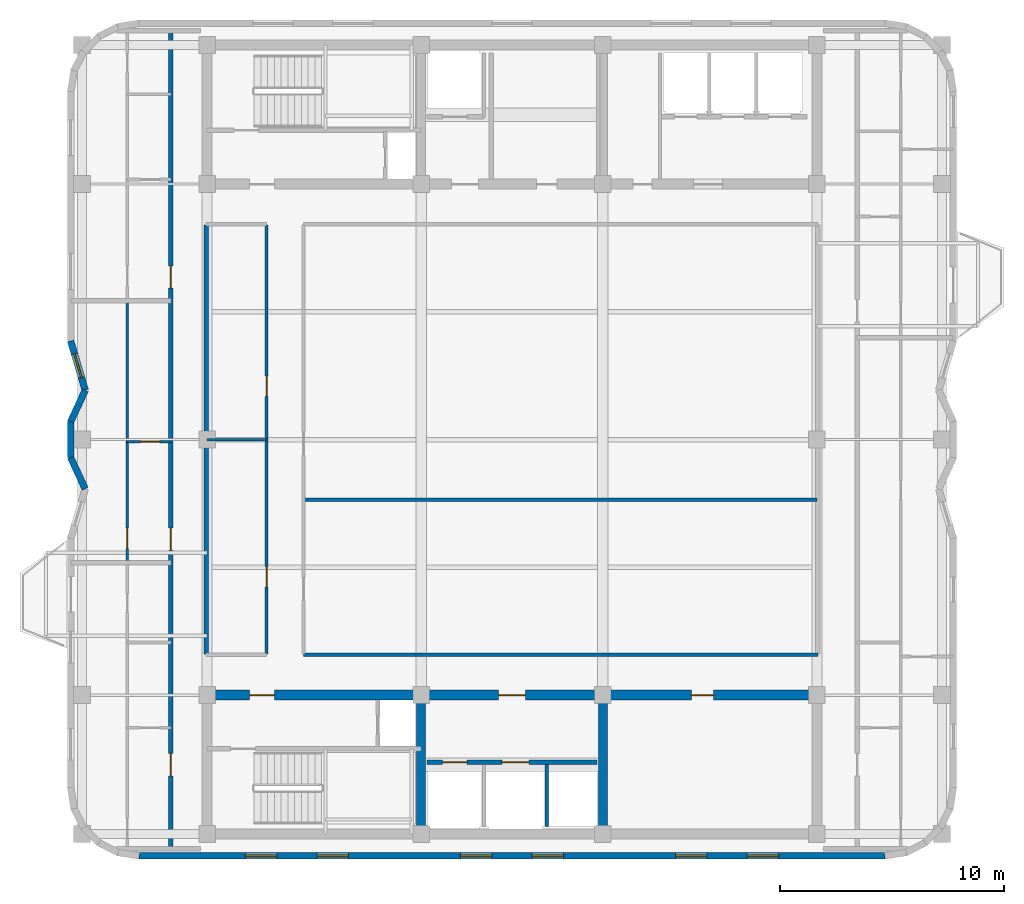
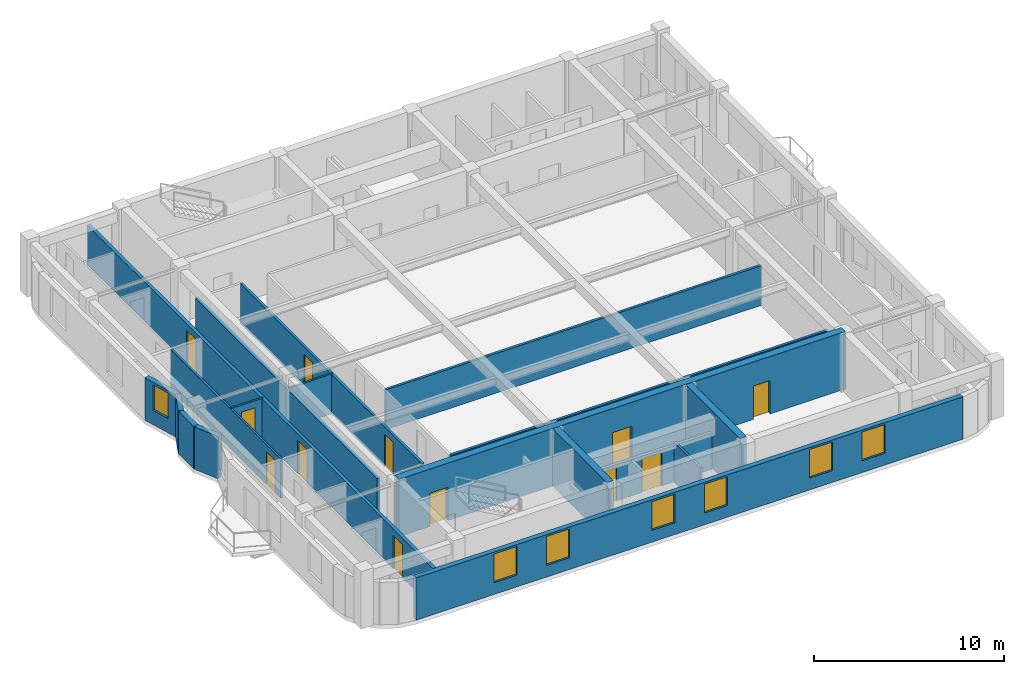
# One storey, part 3 of 8: 18 walls, 12 doors, 7 windows, 19 openings.
"""IFC4 building model written with IfcOpenShell, lengths in metres."""

from ifc_helpers import new_model, si_unit, direction, frame, frame_2d, origin, place, context, subcontext, project, spatial, rectangle, extrude, material, layer, layer_set, type_object, element, fill, save


model = new_model("IFC4")

# Units and contexts
model_context = context("Model", 3, precision=1e-05, world=origin(), true_north=direction((0.0, 1.0)))
body_context = subcontext(model_context, "Body", "Model", "MODEL_VIEW")
ifc_project = project(units=[si_unit("LENGTHUNIT", "METRE"), si_unit("AREAUNIT", "SQUARE_METRE"), si_unit("VOLUMEUNIT", "CUBIC_METRE"), si_unit("PLANEANGLEUNIT", "RADIAN"), si_unit("MASSUNIT", "GRAM", prefix="KILO")], contexts=[model_context])

# Site, building, storey
site_placement = place(None, origin())
site = spatial("IfcSite", under=ifc_project, at=site_placement, CompositionType="ELEMENT")
building_placement = place(site_placement, origin())
building = spatial("IfcBuilding", under=site, at=building_placement, Name="Svetorya Sky Lyceum", CompositionType="ELEMENT")
storey_placement = place(building_placement, frame((0.0, 0.0, 286.10009765625)))
storey = spatial("IfcBuildingStorey", under=building, at=storey_placement, Name="L72", CompositionType="ELEMENT", Elevation=286.10009765625)

# Walls
ifc_material_1 = material(Name="Concrete C40/50", Category="concrete")
ifc_layer_1 = layer(ifc_material_1, 0.39990234375)
ifc_layer_set_1 = layer_set([ifc_layer_1], Name="Concrete C40/50")
wall_type_1 = type_object("IfcWallType", Name="WL-CORE-400", PredefinedType="SHEAR", material=ifc_layer_set_1)
for number, where, z_axis, x_axis, name in (
    (1, (35.14990234375, 10.824951171875, 0.0), (0.0, 0.0, 1.0), (0.0, 1.0, 0.0), "L72 SC Internal Shear Web WEB1"),
    (2, (43.25, 10.824951171875, 0.0), (0.0, 0.0, 1.0), (0.0, 1.0, 0.0), "L72 SC Internal Shear Web WEB2"),
):
    element("IfcWall", number, at=place(storey_placement, frame(where, z_axis=z_axis, x_axis=x_axis)), inside=storey, type_object=wall_type_1, Name=name, PredefinedType="SHEAR", context=body_context, shape_type="SweptSolid", body=[
        extrude(rectangle(XDim=5.75, YDim=0.39990234375, at=frame_2d((2.875, 0.0))), origin(), (0.0, 0.0, 1.0), 3.699951171875),
    ])

# Wall, openings, doors
ifc_material_2 = material(Name="Concrete C50/60", Category="concrete")
ifc_layer_2 = layer(ifc_material_2, 0.449951171875)
ifc_layer_set_2 = layer_set([ifc_layer_2], Name="Concrete C50/60")
wall_type_2 = type_object("IfcWallType", Name="WL-CORE-450", PredefinedType="SHEAR", material=ifc_layer_set_2)
wall_1_placement = place(storey_placement, frame((25.60009765625, 16.800048828125, 0.0), z_axis=(0.0, 0.0, 1.0), x_axis=(1.0, 0.0, 0.0)))
wall_1 = element("IfcWall", 3, at=wall_1_placement, inside=storey, type_object=wall_type_2, Name="L72 SC Inner Core Shear Wall", PredefinedType="SHEAR", context=body_context, shape_type="SweptSolid", body=[
    extrude(rectangle(XDim=27.199951171875, YDim=0.449951171875, at=frame_2d((13.60009765625, 0.0))), origin(), (0.0, 0.0, 1.0), 3.699951171875),
])
opening_1_placement = place(wall_1_placement, frame((1.89990234375, 0.0, 0.0)))
opening_1 = element("IfcOpeningElement", 4, at=opening_1_placement, cuts=wall_1, Name="Opening D-ST1", PredefinedType="OPENING", context=body_context, shape_type="SweptSolid", body=[
    extrude(rectangle(XDim=1.10009765625, YDim=2.14990234375, at=frame_2d((0.550048828125, 1.074951171875))), frame((0.0, 0.23486328125, 0.0), z_axis=(0.0, -1.0, 0.0), x_axis=(1.0, 0.0, 0.0)), (0.0, 0.0, 1.0), 0.469970703125),
])
opening_2_placement = place(wall_1_placement, frame((13.0, 0.0, 0.0)))
opening_2 = element("IfcOpeningElement", 5, at=opening_2_placement, cuts=wall_1, Name="Opening D-FL1", PredefinedType="OPENING", context=body_context, shape_type="SweptSolid", body=[
    extrude(rectangle(XDim=1.199951171875, YDim=2.14990234375, at=frame_2d((0.60009765625, 1.074951171875))), frame((0.0, 0.23486328125, 0.0), z_axis=(0.0, -1.0, 0.0), x_axis=(1.0, 0.0, 0.0)), (0.0, 0.0, 1.0), 0.469970703125),
])
opening_3_placement = place(wall_1_placement, frame((21.60009765625, 0.0, 0.0)))
opening_3 = element("IfcOpeningElement", 6, at=opening_3_placement, cuts=wall_1, Name="Opening D-RM2", PredefinedType="OPENING", context=body_context, shape_type="SweptSolid", body=[
    extrude(rectangle(XDim=1.0, YDim=2.14990234375, at=frame_2d((0.5, 1.074951171875))), frame((0.0, 0.23486328125, 0.0), z_axis=(0.0, -1.0, 0.0), x_axis=(1.0, 0.0, 0.0)), (0.0, 0.0, 1.0), 0.469970703125),
])
ifc_material_3 = material(Name="Powder-coated insulated galvanized stair fire door")
door_type_1 = type_object("IfcDoorType", Name="DR-FIRE-1100", OperationType="SINGLE_SWING_LEFT", PredefinedType="DOOR", material=ifc_material_3)
door_1_placement = place(opening_1_placement, origin())
door_1 = element("IfcDoor", 7, at=door_1_placement, inside=storey, type_object=door_type_1, Name="L72 South Stair Airlock Door", OperationType="SINGLE_SWING_RIGHT", OverallHeight=2.14990234375, OverallWidth=1.10009765625, PredefinedType="DOOR", context=body_context, shape_type="SweptSolid", body=[
    extrude(rectangle(XDim=1.10009765625, YDim=2.14990234375, at=frame_2d((0.550048828125, 1.074951171875))), frame((0.0, 0.02490234375, 0.0), z_axis=(0.0, -1.0, 0.0), x_axis=(1.0, 0.0, 0.0)), (0.0, 0.0, 1.0), 0.050048828125),
])
fill(opening_1, door_1)
ifc_material_4 = material(Name="Powder-coated insulated galvanized fire door")
door_type_2 = type_object("IfcDoorType", Name="DR-FIRE-1200", OperationType="SINGLE_SWING_LEFT", PredefinedType="DOOR", material=ifc_material_4)
door_2_placement = place(opening_2_placement, origin())
door_2 = element("IfcDoor", 8, at=door_2_placement, inside=storey, type_object=door_type_2, Name="L72 South Firefighting Lift Lobby Door", OperationType="SINGLE_SWING_LEFT", OverallHeight=2.14990234375, OverallWidth=1.199951171875, PredefinedType="DOOR", context=body_context, shape_type="SweptSolid", body=[
    extrude(rectangle(XDim=1.199951171875, YDim=2.14990234375, at=frame_2d((0.60009765625, 1.074951171875))), frame((0.0, 0.02490234375, 0.0), z_axis=(0.0, -1.0, 0.0), x_axis=(1.0, 0.0, 0.0)), (0.0, 0.0, 1.0), 0.050048828125),
])
fill(opening_2, door_2)
ifc_material_5 = material(Name="Solid-core oak acoustic room door")
door_type_3 = type_object("IfcDoorType", Name="DR-INT-1000", OperationType="SINGLE_SWING_LEFT", PredefinedType="DOOR", material=ifc_material_5)
door_3_placement = place(opening_3_placement, origin())
door_3 = element("IfcDoor", 9, at=door_3_placement, inside=storey, type_object=door_type_3, Name="L72 Trunk Store Door", OperationType="SINGLE_SWING_LEFT", OverallHeight=2.14990234375, OverallWidth=1.0, PredefinedType="DOOR", context=body_context, shape_type="SweptSolid", body=[
    extrude(rectangle(XDim=1.0, YDim=2.14990234375, at=frame_2d((0.5, 1.074951171875))), frame((0.0, 0.02490234375, 0.0), z_axis=(0.0, -1.0, 0.0), x_axis=(1.0, 0.0, 0.0)), (0.0, 0.0, 1.0), 0.050048828125),
])
fill(opening_3, door_3)

# Wall, openings, windows
ifc_material_6 = material(Name="Putilovo limestone rainscreen on autoclaved cellular masonry", Category="masonry")
ifc_layer_3 = layer(ifc_material_6, 0.300048828125)
ifc_layer_set_3 = layer_set([ifc_layer_3], Name="Putilovo limestone rainscreen on autoclaved cellular masonry")
wall_type_3 = type_object("IfcWallType", Name="WL-EXT-300", PredefinedType="SOLIDWALL", material=ifc_layer_set_3)
wall_2_placement = place(storey_placement, frame((22.56005859375, 9.6298828125, 0.0), z_axis=(0.0, 0.0, 1.0), x_axis=(1.0, 0.0, 0.0)))
wall_2 = element("IfcWall", 10, at=wall_2_placement, inside=storey, type_object=wall_type_3, Name="L72 Limestone Exterior Wall 6M", PredefinedType="SOLIDWALL", context=body_context, shape_type="SweptSolid", body=[
    extrude(rectangle(XDim=33.280029296875, YDim=0.300048828125, at=frame_2d((16.64013671875, 0.0))), origin(), (0.0, 0.0, 1.0), 2.72998046875),
])
opening_4_placement = place(wall_2_placement, frame((4.7470703125, 0.0, 0.760009765625)))
opening_4 = element("IfcOpeningElement", 11, at=opening_4_placement, cuts=wall_2, Name="Opening W-R2", PredefinedType="OPENING", context=body_context, shape_type="SweptSolid", body=[
    extrude(rectangle(XDim=1.39990234375, YDim=1.85009765625, at=frame_2d((0.699951171875, 0.925048828125))), frame((0.0, 0.159912109375, 0.0), z_axis=(0.0, -1.0, 0.0), x_axis=(1.0, 0.0, 0.0)), (0.0, 0.0, 1.0), 0.320068359375),
])
opening_5_placement = place(wall_2_placement, frame((7.945068359375, 0.0, 0.760009765625)))
opening_5 = element("IfcOpeningElement", 12, at=opening_5_placement, cuts=wall_2, Name="Opening W-R2", PredefinedType="OPENING", context=body_context, shape_type="SweptSolid", body=[
    extrude(rectangle(XDim=1.39990234375, YDim=1.85009765625, at=frame_2d((0.699951171875, 0.925048828125))), frame((0.0, 0.159912109375, 0.0), z_axis=(0.0, -1.0, 0.0), x_axis=(1.0, 0.0, 0.0)), (0.0, 0.0, 1.0), 0.320068359375),
])
opening_6_placement = place(wall_2_placement, frame((14.341064453125, 0.0, 0.760009765625)))
opening_6 = element("IfcOpeningElement", 13, at=opening_6_placement, cuts=wall_2, Name="Opening W-R2", PredefinedType="OPENING", context=body_context, shape_type="SweptSolid", body=[
    extrude(rectangle(XDim=1.39990234375, YDim=1.85009765625, at=frame_2d((0.699951171875, 0.925048828125))), frame((0.0, 0.159912109375, 0.0), z_axis=(0.0, -1.0, 0.0), x_axis=(1.0, 0.0, 0.0)), (0.0, 0.0, 1.0), 0.320068359375),
])
opening_7_placement = place(wall_2_placement, frame((17.5390625, 0.0, 0.760009765625)))
opening_7 = element("IfcOpeningElement", 14, at=opening_7_placement, cuts=wall_2, Name="Opening W-R2", PredefinedType="OPENING", context=body_context, shape_type="SweptSolid", body=[
    extrude(rectangle(XDim=1.39990234375, YDim=1.85009765625, at=frame_2d((0.699951171875, 0.925048828125))), frame((0.0, 0.159912109375, 0.0), z_axis=(0.0, -1.0, 0.0), x_axis=(1.0, 0.0, 0.0)), (0.0, 0.0, 1.0), 0.320068359375),
])
opening_8_placement = place(wall_2_placement, frame((23.93505859375, 0.0, 0.760009765625)))
opening_8 = element("IfcOpeningElement", 15, at=opening_8_placement, cuts=wall_2, Name="Opening W-R2", PredefinedType="OPENING", context=body_context, shape_type="SweptSolid", body=[
    extrude(rectangle(XDim=1.39990234375, YDim=1.85009765625, at=frame_2d((0.699951171875, 0.925048828125))), frame((0.0, 0.159912109375, 0.0), z_axis=(0.0, -1.0, 0.0), x_axis=(1.0, 0.0, 0.0)), (0.0, 0.0, 1.0), 0.320068359375),
])
opening_9_placement = place(wall_2_placement, frame((27.133056640625, 0.0, 0.760009765625)))
opening_9 = element("IfcOpeningElement", 16, at=opening_9_placement, cuts=wall_2, Name="Opening W-R2", PredefinedType="OPENING", context=body_context, shape_type="SweptSolid", body=[
    extrude(rectangle(XDim=1.39990234375, YDim=1.85009765625, at=frame_2d((0.699951171875, 0.925048828125))), frame((0.0, 0.159912109375, 0.0), z_axis=(0.0, -1.0, 0.0), x_axis=(1.0, 0.0, 0.0)), (0.0, 0.0, 1.0), 0.320068359375),
])
ifc_material_7 = material(Name="Thermally broken aluminium frame with triple low-E glazing", Category="aluminium")
window_type_1 = type_object("IfcWindowType", Name="WN-RES-140", PartitioningType="SINGLE_PANEL", PredefinedType="WINDOW", material=ifc_material_7)
window_1_placement = place(opening_4_placement, origin())
window_1 = element("IfcWindow", 17, at=window_1_placement, inside=storey, type_object=window_type_1, Name="L72 Facade Window W-R2.6M.1", OverallHeight=1.85009765625, OverallWidth=1.39990234375, PartitioningType="SINGLE_PANEL", PredefinedType="WINDOW", context=body_context, shape_type="SweptSolid", body=[
    extrude(rectangle(XDim=1.39990234375, YDim=1.85009765625, at=frame_2d((0.699951171875, 0.925048828125))), frame((0.0, 0.030029296875, 0.0), z_axis=(0.0, -1.0, 0.0), x_axis=(1.0, 0.0, 0.0)), (0.0, 0.0, 1.0), 0.06005859375),
])
fill(opening_4, window_1)
window_2_placement = place(opening_5_placement, origin())
window_2 = element("IfcWindow", 18, at=window_2_placement, inside=storey, type_object=window_type_1, Name="L72 Facade Window W-R2.6M.2", OverallHeight=1.85009765625, OverallWidth=1.39990234375, PartitioningType="SINGLE_PANEL", PredefinedType="WINDOW", context=body_context, shape_type="SweptSolid", body=[
    extrude(rectangle(XDim=1.39990234375, YDim=1.85009765625, at=frame_2d((0.699951171875, 0.925048828125))), frame((0.0, 0.030029296875, 0.0), z_axis=(0.0, -1.0, 0.0), x_axis=(1.0, 0.0, 0.0)), (0.0, 0.0, 1.0), 0.06005859375),
])
fill(opening_5, window_2)
window_3_placement = place(opening_6_placement, origin())
window_3 = element("IfcWindow", 19, at=window_3_placement, inside=storey, type_object=window_type_1, Name="L72 Facade Window W-R2.6M.3", OverallHeight=1.85009765625, OverallWidth=1.39990234375, PartitioningType="SINGLE_PANEL", PredefinedType="WINDOW", context=body_context, shape_type="SweptSolid", body=[
    extrude(rectangle(XDim=1.39990234375, YDim=1.85009765625, at=frame_2d((0.699951171875, 0.925048828125))), frame((0.0, 0.030029296875, 0.0), z_axis=(0.0, -1.0, 0.0), x_axis=(1.0, 0.0, 0.0)), (0.0, 0.0, 1.0), 0.06005859375),
])
fill(opening_6, window_3)
window_4_placement = place(opening_7_placement, origin())
window_4 = element("IfcWindow", 20, at=window_4_placement, inside=storey, type_object=window_type_1, Name="L72 Facade Window W-R2.6M.4", OverallHeight=1.85009765625, OverallWidth=1.39990234375, PartitioningType="SINGLE_PANEL", PredefinedType="WINDOW", context=body_context, shape_type="SweptSolid", body=[
    extrude(rectangle(XDim=1.39990234375, YDim=1.85009765625, at=frame_2d((0.699951171875, 0.925048828125))), frame((0.0, 0.030029296875, 0.0), z_axis=(0.0, -1.0, 0.0), x_axis=(1.0, 0.0, 0.0)), (0.0, 0.0, 1.0), 0.06005859375),
])
fill(opening_7, window_4)
window_5_placement = place(opening_8_placement, origin())
window_5 = element("IfcWindow", 21, at=window_5_placement, inside=storey, type_object=window_type_1, Name="L72 Facade Window W-R2.6M.5", OverallHeight=1.85009765625, OverallWidth=1.39990234375, PartitioningType="SINGLE_PANEL", PredefinedType="WINDOW", context=body_context, shape_type="SweptSolid", body=[
    extrude(rectangle(XDim=1.39990234375, YDim=1.85009765625, at=frame_2d((0.699951171875, 0.925048828125))), frame((0.0, 0.030029296875, 0.0), z_axis=(0.0, -1.0, 0.0), x_axis=(1.0, 0.0, 0.0)), (0.0, 0.0, 1.0), 0.06005859375),
])
fill(opening_8, window_5)
window_6_placement = place(opening_9_placement, origin())
window_6 = element("IfcWindow", 22, at=window_6_placement, inside=storey, type_object=window_type_1, Name="L72 Facade Window W-R2.6M.6", OverallHeight=1.85009765625, OverallWidth=1.39990234375, PartitioningType="SINGLE_PANEL", PredefinedType="WINDOW", context=body_context, shape_type="SweptSolid", body=[
    extrude(rectangle(XDim=1.39990234375, YDim=1.85009765625, at=frame_2d((0.699951171875, 0.925048828125))), frame((0.0, 0.030029296875, 0.0), z_axis=(0.0, -1.0, 0.0), x_axis=(1.0, 0.0, 0.0)), (0.0, 0.0, 1.0), 0.06005859375),
])
fill(opening_9, window_6)

# Wall, opening, window
wall_3_placement = place(storey_placement, frame((19.510009765625, 32.60009765625, 0.0), z_axis=(0.0, 0.0, 1.0), x_axis=(0.28328385701, -0.959036107953, 0.0)))
wall_3 = element("IfcWall", 23, at=wall_3_placement, inside=storey, type_object=wall_type_3, Name="L72 Limestone Exterior Wall 31M", PredefinedType="SOLIDWALL", context=body_context, shape_type="SweptSolid", body=[
    extrude(rectangle(XDim=2.294189453125, YDim=0.300048828125, at=frame_2d((1.14697265625, 0.0))), origin(), (0.0, 0.0, 1.0), 2.72998046875),
])
opening_10_placement = place(wall_3_placement, frame((0.596923828125, 0.0, 0.919921875)))
opening_10 = element("IfcOpeningElement", 24, at=opening_10_placement, cuts=wall_3, Name="Opening W-R3", PredefinedType="OPENING", context=body_context, shape_type="SweptSolid", body=[
    extrude(rectangle(XDim=1.10009765625, YDim=1.64990234375, at=frame_2d((0.550048828125, 0.824951171875))), frame((0.0, 0.159912109375, 0.0), z_axis=(0.0, -1.0, 0.0), x_axis=(1.0, 0.0, 0.0)), (0.0, 0.0, 1.0), 0.320068359375),
])
window_type_2 = type_object("IfcWindowType", Name="WN-RES-110", PartitioningType="SINGLE_PANEL", PredefinedType="WINDOW", material=ifc_material_7)
window_7_placement = place(opening_10_placement, origin())
window_7 = element("IfcWindow", 25, at=window_7_placement, inside=storey, type_object=window_type_2, Name="L72 Facade Window W-R3.31M.1", OverallHeight=1.64990234375, OverallWidth=1.10009765625, PartitioningType="SINGLE_PANEL", PredefinedType="WINDOW", context=body_context, shape_type="SweptSolid", body=[
    extrude(rectangle(XDim=1.10009765625, YDim=1.64990234375, at=frame_2d((0.550048828125, 0.824951171875))), frame((0.0, 0.030029296875, 0.0), z_axis=(0.0, -1.0, 0.0), x_axis=(1.0, 0.0, 0.0)), (0.0, 0.0, 1.0), 0.06005859375),
])
fill(opening_10, window_7)

# Walls
wall_4_placement = place(storey_placement, frame((20.159912109375, 30.39990234375, 0.0), z_axis=(0.0, 0.0, 1.0), x_axis=(-0.421083420882, -0.907021914101, 0.0)))
element("IfcWall", 26, at=wall_4_placement, inside=storey, type_object=wall_type_3, Name="L72 Limestone Exterior Wall 32M", PredefinedType="SOLIDWALL", context=body_context, shape_type="SweptSolid", body=[
    extrude(rectangle(XDim=1.54345703125, YDim=0.300048828125, at=frame_2d((0.771728515625, 0.0))), origin(), (0.0, 0.0, 1.0), 2.72998046875),
])
wall_5_placement = place(storey_placement, frame((19.510009765625, 29.0, 0.0), z_axis=(0.0, 0.0, 1.0), x_axis=(0.0, -1.0, 0.0)))
element("IfcWall", 27, at=wall_5_placement, inside=storey, type_object=wall_type_3, Name="L72 Limestone Exterior Wall 33M", PredefinedType="SOLIDWALL", context=body_context, shape_type="SweptSolid", body=[
    extrude(rectangle(XDim=1.60009765625, YDim=0.300048828125, at=frame_2d((0.800048828125, 0.0))), origin(), (0.0, 0.0, 1.0), 2.72998046875),
])
wall_6_placement = place(storey_placement, frame((19.510009765625, 27.39990234375, 0.0), z_axis=(0.0, 0.0, 1.0), x_axis=(0.421083420882, -0.907021914101, 0.0)))
element("IfcWall", 28, at=wall_6_placement, inside=storey, type_object=wall_type_3, Name="L72 Limestone Exterior Wall 34M", PredefinedType="SOLIDWALL", context=body_context, shape_type="SweptSolid", body=[
    extrude(rectangle(XDim=1.54345703125, YDim=0.300048828125, at=frame_2d((0.771728515625, 0.0))), origin(), (0.0, 0.0, 1.0), 2.72998046875),
])
ifc_material_8 = material(Name="Twin-stud galvanized framing with double fireboard", Category="gypsum")
ifc_layer_4 = layer(ifc_material_8, 0.1201171875)
ifc_layer_set_4 = layer_set([ifc_layer_4], Name="Twin-stud galvanized framing with double fireboard")
wall_type_4 = type_object("IfcWallType", Name="WL-PART-120", PredefinedType="PARTITIONING", material=ifc_layer_set_4)
wall_7_placement = place(storey_placement, frame((25.60009765625, 28.199951171875, 0.0), z_axis=(0.0, 0.0, 1.0), x_axis=(1.0, 0.0, 0.0)))
element("IfcWall", 29, at=wall_7_placement, inside=storey, type_object=wall_type_4, Name="L72 Interior Partition OFF-HW", PredefinedType="PARTITIONING", context=body_context, shape_type="SweptSolid", body=[
    extrude(rectangle(XDim=2.659912109375, YDim=0.1201171875, at=frame_2d((1.330078125, 0.0))), origin(), (0.0, 0.0, 1.0), 2.559814453125),
])

# Wall, opening, door
wall_8_placement = place(storey_placement, frame((22.030029296875, 28.10009765625, 0.0), z_axis=(0.0, 0.0, 1.0), x_axis=(1.0, 0.0, 0.0)))
wall_8 = element("IfcWall", 30, at=wall_8_placement, inside=storey, type_object=wall_type_4, Name="L72 Interior Partition W2-WH1", PredefinedType="PARTITIONING", context=body_context, shape_type="SweptSolid", body=[
    extrude(rectangle(XDim=1.949951171875, YDim=0.1201171875, at=frame_2d((0.97509765625, 0.0))), origin(), (0.0, 0.0, 1.0), 2.559814453125),
])
opening_11_placement = place(wall_8_placement, frame((0.60009765625, 0.0, 0.0)))
opening_11 = element("IfcOpeningElement", 31, at=opening_11_placement, cuts=wall_8, Name="Opening D-BT1", PredefinedType="OPENING", context=body_context, shape_type="SweptSolid", body=[
    extrude(rectangle(XDim=0.85009765625, YDim=2.10009765625, at=frame_2d((0.425048828125, 1.050048828125))), frame((0.0, 0.070068359375, 0.0), z_axis=(0.0, -1.0, 0.0), x_axis=(1.0, 0.0, 0.0)), (0.0, 0.0, 1.0), 0.14013671875),
])
ifc_material_9 = material(Name="Moisture-resistant laminate bathroom door")
door_type_4 = type_object("IfcDoorType", Name="DR-WET-850", OperationType="SINGLE_SWING_LEFT", PredefinedType="DOOR", material=ifc_material_9)
door_4_placement = place(opening_11_placement, origin())
door_4 = element("IfcDoor", 32, at=door_4_placement, inside=storey, type_object=door_type_4, Name="Apartment W2 Bathroom Door", OperationType="SINGLE_SWING_RIGHT", OverallHeight=2.10009765625, OverallWidth=0.85009765625, PredefinedType="DOOR", context=body_context, shape_type="SweptSolid", body=[
    extrude(rectangle(XDim=0.85009765625, YDim=2.10009765625, at=frame_2d((0.425048828125, 1.050048828125))), frame((0.0, 0.02490234375, 0.0), z_axis=(0.0, -1.0, 0.0), x_axis=(1.0, 0.0, 0.0)), (0.0, 0.0, 1.0), 0.050048828125),
])
fill(opening_11, door_4)

wall_9_placement = place(storey_placement, frame((22.030029296875, 22.739990234375, 0.0), z_axis=(0.0, 0.0, 1.0), x_axis=(0.0, 1.0, 0.0)))
wall_9 = element("IfcWall", 33, at=wall_9_placement, inside=storey, type_object=wall_type_4, Name="L72 Interior Partition W2-WV", PredefinedType="PARTITIONING", context=body_context, shape_type="SweptSolid", body=[
    extrude(rectangle(XDim=11.625, YDim=0.1201171875, at=frame_2d((5.8125, 0.0))), origin(), (0.0, 0.0, 1.0), 2.559814453125),
])
opening_12_placement = place(wall_9_placement, frame((0.610107421875, 0.0, 0.0)))
opening_12 = element("IfcOpeningElement", 34, at=opening_12_placement, cuts=wall_9, Name="Opening D-RM1", PredefinedType="OPENING", context=body_context, shape_type="SweptSolid", body=[
    extrude(rectangle(XDim=0.89990234375, YDim=2.10009765625, at=frame_2d((0.449951171875, 1.050048828125))), frame((0.0, 0.070068359375, 0.0), z_axis=(0.0, -1.0, 0.0), x_axis=(1.0, 0.0, 0.0)), (0.0, 0.0, 1.0), 0.14013671875),
])
ifc_material_10 = material(Name="Lacquered birch veneer internal door")
door_type_5 = type_object("IfcDoorType", Name="DR-INT-900", OperationType="SINGLE_SWING_LEFT", PredefinedType="DOOR", material=ifc_material_10)
door_5_placement = place(opening_12_placement, origin())
door_5 = element("IfcDoor", 35, at=door_5_placement, inside=storey, type_object=door_type_5, Name="Apartment W2 Living Door", OperationType="SINGLE_SWING_LEFT", OverallHeight=2.10009765625, OverallWidth=0.89990234375, PredefinedType="DOOR", context=body_context, shape_type="SweptSolid", body=[
    extrude(rectangle(XDim=0.89990234375, YDim=2.10009765625, at=frame_2d((0.449951171875, 1.050048828125))), frame((0.0, 0.02490234375, 0.0), z_axis=(0.0, -1.0, 0.0), x_axis=(1.0, 0.0, 0.0)), (0.0, 0.0, 1.0), 0.050048828125),
])
fill(opening_12, door_5)

# Walls
ifc_material_11 = material(Name="Autoclaved cellular masonry blockwork with acoustic render", Category="masonry")
ifc_layer_5 = layer(ifc_material_11, 0.14990234375)
ifc_layer_set_5 = layer_set([ifc_layer_5], Name="Autoclaved cellular masonry blockwork with acoustic render")
wall_type_5 = type_object("IfcWallType", Name="WL-PART-150", PredefinedType="PARTITIONING", material=ifc_layer_set_5)
wall_10_placement = place(storey_placement, frame((40.75, 10.949951171875, 0.0), z_axis=(0.0, 0.0, 1.0), x_axis=(0.0, 1.0, 0.0)))
element("IfcWall", 36, at=wall_10_placement, inside=storey, type_object=wall_type_5, Name="L72 Interior Partition SC-SHD2", PredefinedType="PARTITIONING", context=body_context, shape_type="SweptSolid", body=[
    extrude(rectangle(XDim=2.75, YDim=0.14990234375, at=frame_2d((1.375, 0.0))), origin(), (0.0, 0.0, 1.0), 2.559814453125),
])
wall_11_placement = place(storey_placement, frame((29.89990234375, 18.60009765625, 0.0), z_axis=(0.0, 0.0, 1.0), x_axis=(1.0, 0.0, 0.0)))
element("IfcWall", 37, at=wall_11_placement, inside=storey, type_object=wall_type_5, Name="L72 Interior Partition OFF-CS-E", PredefinedType="PARTITIONING", context=body_context, shape_type="SweptSolid", body=[
    extrude(rectangle(XDim=22.9501953125, YDim=0.14990234375, at=frame_2d((11.47509765625, 0.0))), origin(), (0.0, 0.0, 1.0), 2.559814453125),
])
wall_12_placement = place(storey_placement, frame((29.929931640625, 25.5205078125, 0.0), z_axis=(0.0, 0.0, 1.0), x_axis=(1.0, 0.0, 0.0)))
element("IfcWall", 38, at=wall_12_placement, inside=storey, type_object=wall_type_5, Name="L72 Interior Partition OFF-HE", PredefinedType="PARTITIONING", context=body_context, shape_type="SweptSolid", body=[
    extrude(rectangle(XDim=22.8701171875, YDim=0.14990234375, at=frame_2d((11.43505859375, 0.0))), origin(), (0.0, 0.0, 1.0), 2.559814453125),
])

# Wall, openings, doors
wall_13_placement = place(storey_placement, frame((28.25, 18.6298828125, 0.0), z_axis=(0.0, 0.0, 1.0), x_axis=(0.0, 1.0, 0.0)))
wall_13 = element("IfcWall", 39, at=wall_13_placement, inside=storey, type_object=wall_type_5, Name="L72 Interior Partition OFF-VW", PredefinedType="PARTITIONING", context=body_context, shape_type="SweptSolid", body=[
    extrude(rectangle(XDim=19.14013671875, YDim=0.14990234375, at=frame_2d((9.570068359375, 0.0))), origin(), (0.0, 0.0, 1.0), 2.559814453125),
])
opening_13_placement = place(wall_13_placement, frame((3.0, 0.0, 0.0)))
opening_13 = element("IfcOpeningElement", 40, at=opening_13_placement, cuts=wall_13, Name="Opening D-RM1", PredefinedType="OPENING", context=body_context, shape_type="SweptSolid", body=[
    extrude(rectangle(XDim=0.89990234375, YDim=2.10009765625, at=frame_2d((0.449951171875, 1.050048828125))), frame((0.0, 0.0849609375, 0.0), z_axis=(0.0, -1.0, 0.0), x_axis=(1.0, 0.0, 0.0)), (0.0, 0.0, 1.0), 0.169921875),
])
opening_14_placement = place(wall_13_placement, frame((11.5, 0.0, 0.0)))
opening_14 = element("IfcOpeningElement", 41, at=opening_14_placement, cuts=wall_13, Name="Opening D-RM1", PredefinedType="OPENING", context=body_context, shape_type="SweptSolid", body=[
    extrude(rectangle(XDim=0.89990234375, YDim=2.10009765625, at=frame_2d((0.449951171875, 1.050048828125))), frame((0.0, 0.0849609375, 0.0), z_axis=(0.0, -1.0, 0.0), x_axis=(1.0, 0.0, 0.0)), (0.0, 0.0, 1.0), 0.169921875),
])
door_6_placement = place(opening_13_placement, origin())
door_6 = element("IfcDoor", 42, at=door_6_placement, inside=storey, type_object=door_type_5, Name="L72 Study Door", OperationType="SINGLE_SWING_LEFT", OverallHeight=2.10009765625, OverallWidth=0.89990234375, PredefinedType="DOOR", context=body_context, shape_type="SweptSolid", body=[
    extrude(rectangle(XDim=0.89990234375, YDim=2.10009765625, at=frame_2d((0.449951171875, 1.050048828125))), frame((0.0, 0.02490234375, 0.0), z_axis=(0.0, -1.0, 0.0), x_axis=(1.0, 0.0, 0.0)), (0.0, 0.0, 1.0), 0.050048828125),
])
fill(opening_13, door_6)
door_7_placement = place(opening_14_placement, origin())
door_7 = element("IfcDoor", 43, at=door_7_placement, inside=storey, type_object=door_type_5, Name="L72 Focus Door", OperationType="SINGLE_SWING_RIGHT", OverallHeight=2.10009765625, OverallWidth=0.89990234375, PredefinedType="DOOR", context=body_context, shape_type="SweptSolid", body=[
    extrude(rectangle(XDim=0.89990234375, YDim=2.10009765625, at=frame_2d((0.449951171875, 1.050048828125))), frame((0.0, 0.02490234375, 0.0), z_axis=(0.0, -1.0, 0.0), x_axis=(1.0, 0.0, 0.0)), (0.0, 0.0, 1.0), 0.050048828125),
])
fill(opening_14, door_7)

ifc_material_12 = material(Name="Autoclaved cellular masonry blockwork with gypsum plaster", Category="masonry")
ifc_layer_6 = layer(ifc_material_12, 0.199951171875)
ifc_layer_set_6 = layer_set([ifc_layer_6], Name="Autoclaved cellular masonry blockwork with gypsum plaster")
wall_type_6 = type_object("IfcWallType", Name="WL-PART-200", PredefinedType="PARTITIONING", material=ifc_layer_set_6)
wall_14_placement = place(storey_placement, frame((35.39990234375, 13.800048828125, 0.0), z_axis=(0.0, 0.0, 1.0), x_axis=(1.0, 0.0, 0.0)))
wall_14 = element("IfcWall", 44, at=wall_14_placement, inside=storey, type_object=wall_type_6, Name="L72 Interior Partition SC-FLW", PredefinedType="PARTITIONING", context=body_context, shape_type="SweptSolid", body=[
    extrude(rectangle(XDim=7.60009765625, YDim=0.199951171875, at=frame_2d((3.800048828125, 0.0))), origin(), (0.0, 0.0, 1.0), 2.329833984375),
])
opening_15_placement = place(wall_14_placement, frame((0.699951171875, 0.0, 0.0)))
opening_15 = element("IfcOpeningElement", 45, at=opening_15_placement, cuts=wall_14, Name="Opening LD-FL", PredefinedType="OPENING", context=body_context, shape_type="SweptSolid", body=[
    extrude(rectangle(XDim=1.10009765625, YDim=2.14990234375, at=frame_2d((0.550048828125, 1.074951171875))), frame((0.0, 0.10986328125, 0.0), z_axis=(0.0, -1.0, 0.0), x_axis=(1.0, 0.0, 0.0)), (0.0, 0.0, 1.0), 0.219970703125),
])
opening_16_placement = place(wall_14_placement, frame((3.35009765625, 0.0, 0.0)))
opening_16 = element("IfcOpeningElement", 46, at=opening_16_placement, cuts=wall_14, Name="Opening LD-SV", PredefinedType="OPENING", context=body_context, shape_type="SweptSolid", body=[
    extrude(rectangle(XDim=1.199951171875, YDim=2.14990234375, at=frame_2d((0.60009765625, 1.074951171875))), frame((0.0, 0.10986328125, 0.0), z_axis=(0.0, -1.0, 0.0), x_axis=(1.0, 0.0, 0.0)), (0.0, 0.0, 1.0), 0.219970703125),
])
ifc_material_13 = material(Name="Fire-rated stainless AISI 304 firefighting lift landing door")
door_type_6 = type_object("IfcDoorType", Name="DR-LIFT-1100", OperationType="SLIDING_TO_LEFT", PredefinedType="DOOR", material=ifc_material_13)
door_8_placement = place(opening_15_placement, origin())
door_8 = element("IfcDoor", 47, at=door_8_placement, inside=storey, type_object=door_type_6, Name="L72 Firefighting Lift FL2 Landing Door", OperationType="SLIDING_TO_LEFT", OverallHeight=2.14990234375, OverallWidth=1.10009765625, PredefinedType="DOOR", context=body_context, shape_type="SweptSolid", body=[
    extrude(rectangle(XDim=1.10009765625, YDim=2.14990234375, at=frame_2d((0.550048828125, 1.074951171875))), frame((0.0, 0.02490234375, 0.0), z_axis=(0.0, -1.0, 0.0), x_axis=(1.0, 0.0, 0.0)), (0.0, 0.0, 1.0), 0.050048828125),
])
fill(opening_15, door_8)
ifc_material_14 = material(Name="Brushed stainless AISI 304 telescopic lift landing door")
door_type_7 = type_object("IfcDoorType", Name="DR-LIFT-1200", OperationType="SLIDING_TO_LEFT", PredefinedType="DOOR", material=ifc_material_14)
door_9_placement = place(opening_16_placement, origin())
door_9 = element("IfcDoor", 48, at=door_9_placement, inside=storey, type_object=door_type_7, Name="L72 Service Lift SVL1 Landing Door", OperationType="SLIDING_TO_LEFT", OverallHeight=2.14990234375, OverallWidth=1.199951171875, PredefinedType="DOOR", context=body_context, shape_type="SweptSolid", body=[
    extrude(rectangle(XDim=1.199951171875, YDim=2.14990234375, at=frame_2d((0.60009765625, 1.074951171875))), frame((0.0, 0.02490234375, 0.0), z_axis=(0.0, -1.0, 0.0), x_axis=(1.0, 0.0, 0.0)), (0.0, 0.0, 1.0), 0.050048828125),
])
fill(opening_16, door_9)

# Wall
wall_15_placement = place(storey_placement, frame((25.550048828125, 18.6298828125, 0.0), z_axis=(0.0, 0.0, 1.0), x_axis=(0.0, 1.0, 0.0)))
element("IfcWall", 49, at=wall_15_placement, inside=storey, type_object=wall_type_6, Name="L72 Interior Partition W-CEN-SEP", PredefinedType="PARTITIONING", context=body_context, shape_type="SweptSolid", body=[
    extrude(rectangle(XDim=19.14013671875, YDim=0.199951171875, at=frame_2d((9.570068359375, 0.0))), origin(), (0.0, 0.0, 1.0), 2.559814453125),
])

# Wall, openings, doors
wall_16_placement = place(storey_placement, frame((23.97998046875, 9.949951171875, 0.0), z_axis=(0.0, 0.0, 1.0), x_axis=(0.0, 1.0, 0.0)))
wall_16 = element("IfcWall", 50, at=wall_16_placement, inside=storey, type_object=wall_type_6, Name="L72 Interior Partition W-CORRW", PredefinedType="PARTITIONING", context=body_context, shape_type="SweptSolid", body=[
    extrude(rectangle(XDim=36.5, YDim=0.199951171875, at=frame_2d((18.25, 0.0))), origin(), (0.0, 0.0, 1.0), 2.559814453125),
])
opening_17_placement = place(wall_16_placement, frame((3.25, 0.0, 0.0)))
opening_17 = element("IfcOpeningElement", 51, at=opening_17_placement, cuts=wall_16, Name="Opening D-APT1", PredefinedType="OPENING", context=body_context, shape_type="SweptSolid", body=[
    extrude(rectangle(XDim=1.0, YDim=2.14990234375, at=frame_2d((0.5, 1.074951171875))), frame((0.0, 0.10986328125, 0.0), z_axis=(0.0, -1.0, 0.0), x_axis=(1.0, 0.0, 0.0)), (0.0, 0.0, 1.0), 0.219970703125),
])
opening_18_placement = place(wall_16_placement, frame((13.300048828125, 0.0, 0.0)))
opening_18 = element("IfcOpeningElement", 52, at=opening_18_placement, cuts=wall_16, Name="Opening D-APT1", PredefinedType="OPENING", context=body_context, shape_type="SweptSolid", body=[
    extrude(rectangle(XDim=1.0, YDim=2.14990234375, at=frame_2d((0.5, 1.074951171875))), frame((0.0, 0.10986328125, 0.0), z_axis=(0.0, -1.0, 0.0), x_axis=(1.0, 0.0, 0.0)), (0.0, 0.0, 1.0), 0.219970703125),
])
opening_19_placement = place(wall_16_placement, frame((25.0048828125, 0.0, 0.0)))
opening_19 = element("IfcOpeningElement", 53, at=opening_19_placement, cuts=wall_16, Name="Opening D-APT1", PredefinedType="OPENING", context=body_context, shape_type="SweptSolid", body=[
    extrude(rectangle(XDim=1.0, YDim=2.14990234375, at=frame_2d((0.5, 1.074951171875))), frame((0.0, 0.10986328125, 0.0), z_axis=(0.0, -1.0, 0.0), x_axis=(1.0, 0.0, 0.0)), (0.0, 0.0, 1.0), 0.219970703125),
])
ifc_material_15 = material(Name="Insulated oak-veneered apartment entrance door")
door_type_8 = type_object("IfcDoorType", Name="DR-APT-1000", OperationType="SINGLE_SWING_LEFT", PredefinedType="DOOR", material=ifc_material_15)
door_10_placement = place(opening_17_placement, origin())
door_10 = element("IfcDoor", 54, at=door_10_placement, inside=storey, type_object=door_type_8, Name="L72 Apartment W1 Entrance Door", OperationType="SINGLE_SWING_LEFT", OverallHeight=2.14990234375, OverallWidth=1.0, PredefinedType="DOOR", context=body_context, shape_type="SweptSolid", body=[
    extrude(rectangle(XDim=1.0, YDim=2.14990234375, at=frame_2d((0.5, 1.074951171875))), frame((0.0, 0.02490234375, 0.0), z_axis=(0.0, -1.0, 0.0), x_axis=(1.0, 0.0, 0.0)), (0.0, 0.0, 1.0), 0.050048828125),
])
fill(opening_17, door_10)
door_11_placement = place(opening_18_placement, origin())
door_11 = element("IfcDoor", 55, at=door_11_placement, inside=storey, type_object=door_type_8, Name="L72 Apartment W2 Entrance Door", OperationType="SINGLE_SWING_RIGHT", OverallHeight=2.14990234375, OverallWidth=1.0, PredefinedType="DOOR", context=body_context, shape_type="SweptSolid", body=[
    extrude(rectangle(XDim=1.0, YDim=2.14990234375, at=frame_2d((0.5, 1.074951171875))), frame((0.0, 0.02490234375, 0.0), z_axis=(0.0, -1.0, 0.0), x_axis=(1.0, 0.0, 0.0)), (0.0, 0.0, 1.0), 0.050048828125),
])
fill(opening_18, door_11)
door_12_placement = place(opening_19_placement, origin())
door_12 = element("IfcDoor", 56, at=door_12_placement, inside=storey, type_object=door_type_8, Name="L72 Apartment W3 Entrance Door", OperationType="SINGLE_SWING_LEFT", OverallHeight=2.14990234375, OverallWidth=1.0, PredefinedType="DOOR", context=body_context, shape_type="SweptSolid", body=[
    extrude(rectangle(XDim=1.0, YDim=2.14990234375, at=frame_2d((0.5, 1.074951171875))), frame((0.0, 0.02490234375, 0.0), z_axis=(0.0, -1.0, 0.0), x_axis=(1.0, 0.0, 0.0)), (0.0, 0.0, 1.0), 0.050048828125),
])
fill(opening_19, door_12)

save(model, "model.ifc")
